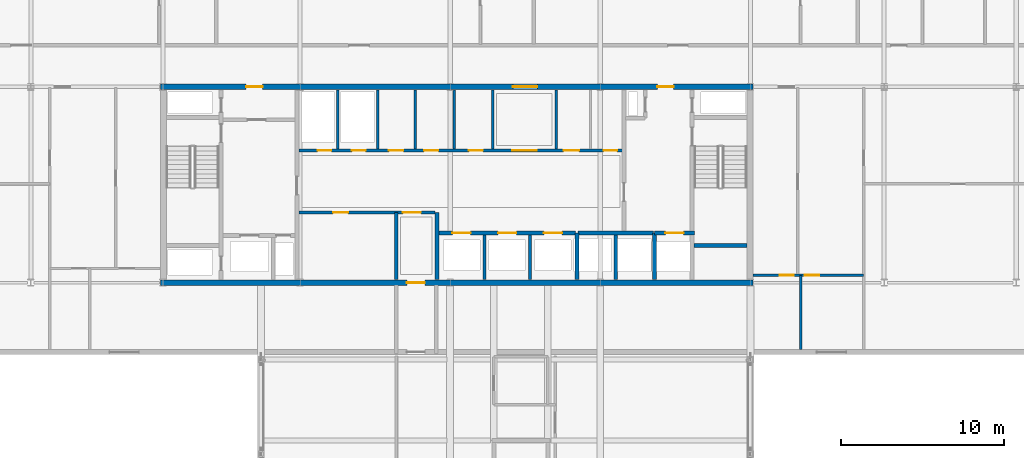
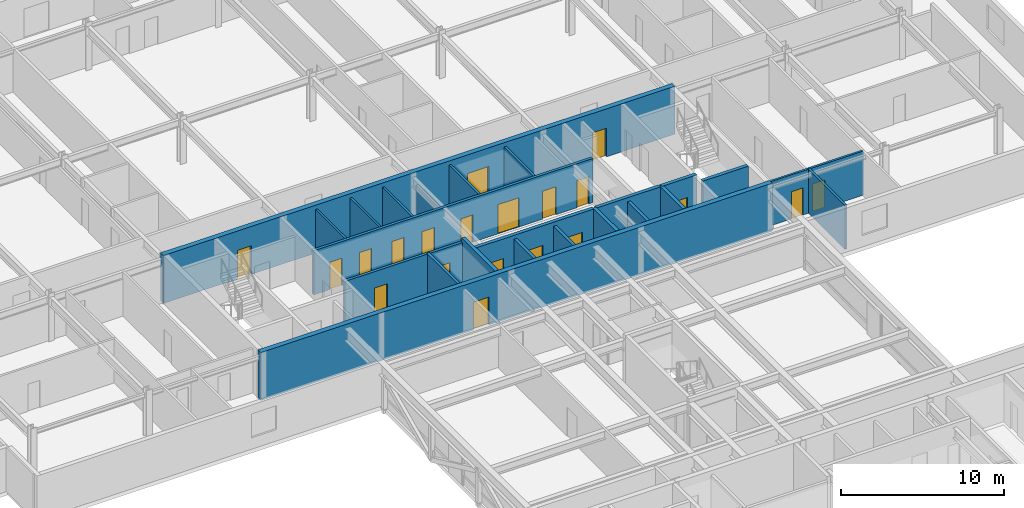
# One storey, part 24 of 35: 23 walls, 20 doors, 20 openings.
"""IFC4 building model written with IfcOpenShell, lengths in metres."""

from ifc_helpers import new_model, si_unit, direction, frame, frame_2d, origin, place, context, subcontext, project, spatial, rectangle, extrude, material, layer, layer_set, type_object, element, fill, save


model = new_model("IFC4")

# Units and contexts
model_context = context("Model", 3, precision=1e-05, world=origin(), true_north=direction((0.0, 1.0)))
body_context = subcontext(model_context, "Body", "Model", "MODEL_VIEW")
ifc_project = project(units=[si_unit("LENGTHUNIT", "METRE"), si_unit("AREAUNIT", "SQUARE_METRE"), si_unit("VOLUMEUNIT", "CUBIC_METRE"), si_unit("PLANEANGLEUNIT", "RADIAN"), si_unit("MASSUNIT", "GRAM", prefix="KILO")], contexts=[model_context])

# Site, building, storey
site_placement = place(None, origin())
site = spatial("IfcSite", under=ifc_project, at=site_placement, CompositionType="ELEMENT")
building_placement = place(site_placement, origin())
building = spatial("IfcBuilding", under=site, at=building_placement, Name="Korimba Cascade Residences", CompositionType="ELEMENT")
storey_placement = place(building_placement, frame((0.0, 0.0, 150.10009765625)))
storey = spatial("IfcBuildingStorey", under=building, at=storey_placement, Name="L43", CompositionType="ELEMENT", Elevation=150.10009765625)

# Wall, opening, door
ifc_material_1 = material(Name="Concrete C65/80", Category="concrete")
ifc_layer_1 = layer(ifc_material_1, 0.35009765625)
ifc_layer_set_1 = layer_set([ifc_layer_1], Name="Concrete C65/80")
wall_type_1 = type_object("IfcWallType", Name="WAL-CORE-350", PredefinedType="SHEAR", material=ifc_layer_set_1)
wall_1_placement = place(storey_placement, frame((75.949951171875, 55.199951171875, 0.0), z_axis=(0.0, 0.0, 1.0), x_axis=(1.0, 0.0, 0.0)))
wall_1 = element("IfcWall", 1, at=wall_1_placement, inside=storey, type_object=wall_type_1, Name="L43 Core Shear Wall CW-L43-T1-S", PredefinedType="SHEAR", context=body_context, shape_type="SweptSolid", body=[
    extrude(rectangle(XDim=36.300048828125, YDim=0.35009765625, at=frame_2d((18.14990234375, 0.0))), origin(), (0.0, 0.0, 1.0), 3.599853515625),
])
opening_1_placement = place(wall_1_placement, frame((15.10009765625, 0.0, 0.0)))
opening_1 = element("IfcOpeningElement", 2, at=opening_1_placement, cuts=wall_1, Name="Opening D-FD1", PredefinedType="OPENING", context=body_context, shape_type="SweptSolid", body=[
    extrude(rectangle(XDim=1.10009765625, YDim=2.10009765625, at=frame_2d((0.550048828125, 1.050048828125))), frame((0.0, 0.18505859375, 0.0), z_axis=(0.0, -1.0, 0.0), x_axis=(1.0, 0.0, 0.0)), (0.0, 0.0, 1.0), 0.3701171875),
])
ifc_material_2 = material(Name="Fire-Rated Steel Core Door", Category="steel")
door_type_1 = type_object("IfcDoorType", Name="DR-FD120-1100", OperationType="NOTDEFINED", PredefinedType="DOOR", material=ifc_material_2)
door_1_placement = place(opening_1_placement, origin())
door_1 = element("IfcDoor", 3, at=door_1_placement, inside=storey, type_object=door_type_1, Name="L43 Skybridge to T1 Core Fire Door", OperationType="SINGLE_SWING_RIGHT", OverallHeight=2.10009765625, OverallWidth=1.10009765625, PredefinedType="DOOR", context=body_context, shape_type="SweptSolid", body=[
    extrude(rectangle(XDim=1.10009765625, YDim=2.10009765625, at=frame_2d((0.550048828125, 1.050048828125))), frame((0.0, 0.02490234375, 0.0), z_axis=(0.0, -1.0, 0.0), x_axis=(1.0, 0.0, 0.0)), (0.0, 0.0, 1.0), 0.050048828125),
])
fill(opening_1, door_1)

# Wall, openings, doors
wall_2_placement = place(storey_placement, frame((75.949951171875, 67.199951171875, 0.0), z_axis=(0.0, 0.0, 1.0), x_axis=(1.0, 0.0, 0.0)))
wall_2 = element("IfcWall", 4, at=wall_2_placement, inside=storey, type_object=wall_type_1, Name="L43 Core Shear Wall CW-L43-T1-N", PredefinedType="SHEAR", context=body_context, shape_type="SweptSolid", body=[
    extrude(rectangle(XDim=36.300048828125, YDim=0.35009765625, at=frame_2d((18.14990234375, 0.0))), origin(), (0.0, 0.0, 1.0), 3.599853515625),
])
opening_2_placement = place(wall_2_placement, frame((5.25, 0.0, 0.0)))
opening_2 = element("IfcOpeningElement", 5, at=opening_2_placement, cuts=wall_2, Name="Opening D-FD5", PredefinedType="OPENING", context=body_context, shape_type="SweptSolid", body=[
    extrude(rectangle(XDim=1.0, YDim=2.14990234375, at=frame_2d((0.5, 1.074951171875))), frame((0.0, 0.18505859375, 0.0), z_axis=(0.0, -1.0, 0.0), x_axis=(1.0, 0.0, 0.0)), (0.0, 0.0, 1.0), 0.3701171875),
])
opening_3_placement = place(wall_2_placement, frame((21.60009765625, 0.0, 0.0)))
opening_3 = element("IfcOpeningElement", 6, at=opening_3_placement, cuts=wall_2, Name="Opening D-FD8", PredefinedType="OPENING", context=body_context, shape_type="SweptSolid", body=[
    extrude(rectangle(XDim=1.5, YDim=2.199951171875, at=frame_2d((0.75, 1.10009765625))), frame((0.0, 0.18505859375, 0.0), z_axis=(0.0, -1.0, 0.0), x_axis=(1.0, 0.0, 0.0)), (0.0, 0.0, 1.0), 0.3701171875),
])
opening_4_placement = place(wall_2_placement, frame((30.449951171875, 0.0, 0.0)))
opening_4 = element("IfcOpeningElement", 7, at=opening_4_placement, cuts=wall_2, Name="Opening D-FD5", PredefinedType="OPENING", context=body_context, shape_type="SweptSolid", body=[
    extrude(rectangle(XDim=1.0, YDim=2.14990234375, at=frame_2d((0.5, 1.074951171875))), frame((0.0, 0.18505859375, 0.0), z_axis=(0.0, -1.0, 0.0), x_axis=(1.0, 0.0, 0.0)), (0.0, 0.0, 1.0), 0.3701171875),
])
ifc_material_3 = material(Name="Fire-Rated Acoustic Timber Vestibule Door", Category="wood")
door_type_2 = type_object("IfcDoorType", Name="DR-FD90-1000", OperationType="NOTDEFINED", PredefinedType="DOOR", material=ifc_material_3)
door_2_placement = place(opening_2_placement, origin())
door_2 = element("IfcDoor", 8, at=door_2_placement, inside=storey, type_object=door_type_2, Name="L43 T1 West Core Vestibule Fire Door", OperationType="SINGLE_SWING_LEFT", OverallHeight=2.14990234375, OverallWidth=1.0, PredefinedType="DOOR", context=body_context, shape_type="SweptSolid", body=[
    extrude(rectangle(XDim=1.0, YDim=2.14990234375, at=frame_2d((0.5, 1.074951171875))), frame((0.0, 0.02490234375, 0.0), z_axis=(0.0, -1.0, 0.0), x_axis=(1.0, 0.0, 0.0)), (0.0, 0.0, 1.0), 0.050048828125),
])
fill(opening_2, door_2)
door_3_placement = place(opening_4_placement, origin())
door_3 = element("IfcDoor", 9, at=door_3_placement, inside=storey, type_object=door_type_2, Name="L43 T1 East Firefighting Vestibule Fire Door", OperationType="SINGLE_SWING_RIGHT", OverallHeight=2.14990234375, OverallWidth=1.0, PredefinedType="DOOR", context=body_context, shape_type="SweptSolid", body=[
    extrude(rectangle(XDim=1.0, YDim=2.14990234375, at=frame_2d((0.5, 1.074951171875))), frame((0.0, 0.02490234375, 0.0), z_axis=(0.0, -1.0, 0.0), x_axis=(1.0, 0.0, 0.0)), (0.0, 0.0, 1.0), 0.050048828125),
])
fill(opening_4, door_3)
ifc_material_4 = material(Name="Fire-Rated Glazed Lift Lobby Double Door", Category="glass")
door_type_3 = type_object("IfcDoorType", Name="DR-FD90-1500", OperationType="NOTDEFINED", PredefinedType="DOOR", material=ifc_material_4)
door_4_placement = place(opening_3_placement, origin())
door_4 = element("IfcDoor", 10, at=door_4_placement, inside=storey, type_object=door_type_3, Name="L43 T1 Lift Lobby Fire Door", OperationType="DOUBLE_DOOR_SINGLE_SWING", OverallHeight=2.199951171875, OverallWidth=1.5, PredefinedType="DOOR", context=body_context, shape_type="SweptSolid", body=[
    extrude(rectangle(XDim=1.5, YDim=2.199951171875, at=frame_2d((0.75, 1.10009765625))), frame((0.0, 0.02490234375, 0.0), z_axis=(0.0, -1.0, 0.0), x_axis=(1.0, 0.0, 0.0)), (0.0, 0.0, 1.0), 0.050048828125),
])
fill(opening_3, door_4)

# Walls
ifc_material_5 = material(Name="Insulated Acoustic Stud Partition", Category="gypsum")
ifc_layer_2 = layer(ifc_material_5, 0.14990234375)
ifc_layer_set_2 = layer_set([ifc_layer_2], Name="Insulated Acoustic Stud Partition")
wall_type_2 = type_object("IfcWallType", Name="WAL-PART-150", PredefinedType="PARTITIONING", material=ifc_layer_set_2)
for number, where, z_axis, x_axis, name in (
    (11, (86.800048828125, 63.39990234375, 0.0), (0.0, 0.0, 1.0), (0.0, 1.0, 0.0), "L43 Partition Wall CW-L43-T1-ERDIV"),
    (12, (89.25, 63.39990234375, 0.0), (0.0, 0.0, 1.0), (0.0, 1.0, 0.0), "L43 Partition Wall CW-L43-T1-PRDIV"),
    (13, (91.550048828125, 63.39990234375, 0.0), (0.0, 0.0, 1.0), (0.0, 1.0, 0.0), "L43 Partition Wall CW-L43-T1-CA1W1"),
):
    element("IfcWall", number, at=place(storey_placement, frame(where, z_axis=z_axis, x_axis=x_axis)), inside=storey, type_object=wall_type_2, Name=name, PredefinedType="PARTITIONING", context=body_context, shape_type="SweptSolid", body=[
        extrude(rectangle(XDim=3.60009765625, YDim=0.14990234375, at=frame_2d((1.800048828125, 0.0))), origin(), (0.0, 0.0, 1.0), 3.309814453125),
    ])
wall_3_placement = place(storey_placement, frame((93.949951171875, 63.39990234375, 0.0), z_axis=(0.0, 0.0, 1.0), x_axis=(0.0, 1.0, 0.0)))
element("IfcWall", 14, at=wall_3_placement, inside=storey, type_object=wall_type_2, Name="L43 Partition Wall CW-L43-T1-CA1W2", PredefinedType="PARTITIONING", context=body_context, shape_type="SweptSolid", body=[
    extrude(rectangle(XDim=3.60009765625, YDim=0.14990234375, at=frame_2d((1.800048828125, 0.0))), origin(), (0.0, 0.0, 1.0), 2.616943359375),
])
for number, where, z_axis, x_axis, name in (
    (15, (96.300048828125, 63.39990234375, 0.0), (0.0, 0.0, 1.0), (0.0, 1.0, 0.0), "L43 Partition Wall CW-L43-T1-THW"),
    (16, (100.199951171875, 63.39990234375, 0.0), (0.0, 0.0, 1.0), (0.0, 1.0, 0.0), "L43 Partition Wall CW-L43-T1-THE"),
):
    element("IfcWall", number, at=place(storey_placement, frame(where, z_axis=z_axis, x_axis=x_axis)), inside=storey, type_object=wall_type_2, Name=name, PredefinedType="PARTITIONING", context=body_context, shape_type="SweptSolid", body=[
        extrude(rectangle(XDim=3.60009765625, YDim=0.14990234375, at=frame_2d((1.800048828125, 0.0))), origin(), (0.0, 0.0, 1.0), 3.309814453125),
    ])
wall_4_placement = place(storey_placement, frame((115.199951171875, 51.10009765625, 0.0), z_axis=(0.0, 0.0, 1.0), x_axis=(0.0, 1.0, 0.0)))
element("IfcWall", 17, at=wall_4_placement, inside=storey, type_object=wall_type_2, Name="L43 Partition Wall WAL-L43-T1-FE-VS", PredefinedType="PARTITIONING", context=body_context, shape_type="SweptSolid", body=[
    extrude(rectangle(XDim=4.5498046875, YDim=0.14990234375, at=frame_2d((2.27490234375, 0.0))), origin(), (0.0, 0.0, 1.0), 3.309814453125),
])

# Wall, openings, doors
wall_5_placement = place(storey_placement, frame((112.27001953125, 55.64990234375, 0.0), z_axis=(0.0, 0.0, 1.0), x_axis=(1.0, 0.0, 0.0)))
wall_5 = element("IfcWall", 18, at=wall_5_placement, inside=storey, type_object=wall_type_2, Name="L43 Partition Wall WAL-L43-T1-FE-H", PredefinedType="PARTITIONING", context=body_context, shape_type="SweptSolid", body=[
    extrude(rectangle(XDim=6.760009765625, YDim=0.14990234375, at=frame_2d((3.3798828125, 0.0))), origin(), (0.0, 0.0, 1.0), 3.309814453125),
])
opening_5_placement = place(wall_5_placement, frame((1.6396484375, 0.0, 0.0)))
opening_5 = element("IfcOpeningElement", 19, at=opening_5_placement, cuts=wall_5, Name="Opening D-BT1", PredefinedType="OPENING", context=body_context, shape_type="SweptSolid", body=[
    extrude(rectangle(XDim=0.840087890625, YDim=2.0400390625, at=frame_2d((0.419921875, 1.02001953125))), frame((0.0, 0.0849609375, 0.0), z_axis=(0.0, -1.0, 0.0), x_axis=(1.0, 0.0, 0.0)), (0.0, 0.0, 1.0), 0.169921875),
])
opening_6_placement = place(wall_5_placement, frame((3.160400390625, 0.0, 0.0)))
opening_6 = element("IfcOpeningElement", 20, at=opening_6_placement, cuts=wall_5, Name="Opening D-IN2", PredefinedType="OPENING", context=body_context, shape_type="SweptSolid", body=[
    extrude(rectangle(XDim=0.8798828125, YDim=2.06005859375, at=frame_2d((0.43994140625, 1.030029296875))), frame((0.0, 0.0849609375, 0.0), z_axis=(0.0, -1.0, 0.0), x_axis=(1.0, 0.0, 0.0)), (0.0, 0.0, 1.0), 0.169921875),
])
ifc_material_6 = material(Name="Moisture-Resistant Bathroom Timber Door", Category="wood")
door_type_4 = type_object("IfcDoorType", Name="DR-INT-850", OperationType="NOTDEFINED", PredefinedType="DOOR", material=ifc_material_6)
door_5_placement = place(opening_5_placement, origin())
door_5 = element("IfcDoor", 21, at=door_5_placement, inside=storey, type_object=door_type_4, Name="L43-T1-FE Bathroom Door", OperationType="SINGLE_SWING_LEFT", OverallHeight=2.0400390625, OverallWidth=0.840087890625, PredefinedType="DOOR", context=body_context, shape_type="SweptSolid", body=[
    extrude(rectangle(XDim=0.840087890625, YDim=2.0400390625, at=frame_2d((0.419921875, 1.02001953125))), frame((0.0, 0.02490234375, 0.0), z_axis=(0.0, -1.0, 0.0), x_axis=(1.0, 0.0, 0.0)), (0.0, 0.0, 1.0), 0.050048828125),
])
fill(opening_5, door_5)
ifc_material_7 = material(Name="Acoustic Timber Bedroom Door", Category="wood")
door_type_5 = type_object("IfcDoorType", Name="DR-INT-880", OperationType="NOTDEFINED", PredefinedType="DOOR", material=ifc_material_7)
door_6_placement = place(opening_6_placement, origin())
door_6 = element("IfcDoor", 22, at=door_6_placement, inside=storey, type_object=door_type_5, Name="L43-T1-FE Bedroom Door", OperationType="SINGLE_SWING_RIGHT", OverallHeight=2.06005859375, OverallWidth=0.8798828125, PredefinedType="DOOR", context=body_context, shape_type="SweptSolid", body=[
    extrude(rectangle(XDim=0.8798828125, YDim=2.06005859375, at=frame_2d((0.43994140625, 1.030029296875))), frame((0.0, 0.02490234375, 0.0), z_axis=(0.0, -1.0, 0.0), x_axis=(1.0, 0.0, 0.0)), (0.0, 0.0, 1.0), 0.050048828125),
])
fill(opening_6, door_6)

# Wall
ifc_material_8 = material(Name="Concrete C40/50", Category="concrete")
ifc_layer_3 = layer(ifc_material_8, 0.199951171875)
ifc_layer_set_3 = layer_set([ifc_layer_3], Name="Concrete C40/50")
wall_type_3 = type_object("IfcWallType", Name="WAL-PART-200", PredefinedType="PARTITIONING", material=ifc_layer_set_3)
wall_6_placement = place(storey_placement, frame((90.39990234375, 55.39990234375, 0.0), z_axis=(0.0, 0.0, 1.0), x_axis=(0.0, 1.0, 0.0)))
element("IfcWall", 23, at=wall_6_placement, inside=storey, type_object=wall_type_3, Name="L43 Partition Wall CW-L43-T1-BRGPD", PredefinedType="PARTITIONING", context=body_context, shape_type="SweptSolid", body=[
    extrude(rectangle(XDim=4.10009765625, YDim=0.199951171875, at=frame_2d((2.050048828125, 0.0))), origin(), (0.0, 0.0, 1.0), 3.309814453125),
])

# Wall, openings, doors
wall_7_placement = place(storey_placement, frame((84.419921875, 59.5, 0.0), z_axis=(0.0, 0.0, 1.0), x_axis=(1.0, 0.0, 0.0)))
wall_7 = element("IfcWall", 24, at=wall_7_placement, inside=storey, type_object=wall_type_3, Name="L43 Partition Wall CW-L43-T1-B1RN", PredefinedType="PARTITIONING", context=body_context, shape_type="SweptSolid", body=[
    extrude(rectangle(XDim=8.360107421875, YDim=0.199951171875, at=frame_2d((4.18017578125, 0.0))), origin(), (0.0, 0.0, 1.0), 3.309814453125),
])
opening_7_placement = place(wall_7_placement, frame((2.10009765625, 0.0, 0.0)))
opening_7 = element("IfcOpeningElement", 25, at=opening_7_placement, cuts=wall_7, Name="Opening D-ST1", PredefinedType="OPENING", context=body_context, shape_type="SweptSolid", body=[
    extrude(rectangle(XDim=0.919921875, YDim=2.080078125, at=frame_2d((0.4599609375, 1.0400390625))), frame((0.0, 0.10986328125, 0.0), z_axis=(0.0, -1.0, 0.0), x_axis=(1.0, 0.0, 0.0)), (0.0, 0.0, 1.0), 0.219970703125),
])
opening_8_placement = place(wall_7_placement, frame((6.3798828125, 0.0, 0.0)))
opening_8 = element("IfcOpeningElement", 26, at=opening_8_placement, cuts=wall_7, Name="Opening D-FD1", PredefinedType="OPENING", context=body_context, shape_type="SweptSolid", body=[
    extrude(rectangle(XDim=1.10009765625, YDim=2.10009765625, at=frame_2d((0.550048828125, 1.050048828125))), frame((0.0, 0.10986328125, 0.0), z_axis=(0.0, -1.0, 0.0), x_axis=(1.0, 0.0, 0.0)), (0.0, 0.0, 1.0), 0.219970703125),
])
door_7_placement = place(opening_8_placement, origin())
door_7 = element("IfcDoor", 27, at=door_7_placement, inside=storey, type_object=door_type_1, Name="L43 Skybridge Vestibule to Lift Lobby Door", OperationType="SINGLE_SWING_RIGHT", OverallHeight=2.10009765625, OverallWidth=1.10009765625, PredefinedType="DOOR", context=body_context, shape_type="SweptSolid", body=[
    extrude(rectangle(XDim=1.10009765625, YDim=2.10009765625, at=frame_2d((0.550048828125, 1.050048828125))), frame((0.0, 0.02490234375, 0.0), z_axis=(0.0, -1.0, 0.0), x_axis=(1.0, 0.0, 0.0)), (0.0, 0.0, 1.0), 0.050048828125),
])
fill(opening_8, door_7)
ifc_material_9 = material(Name="Fire-Rated Core Store Door", Category="wood")
door_type_6 = type_object("IfcDoorType", Name="DR-FD60-920", OperationType="NOTDEFINED", PredefinedType="DOOR", material=ifc_material_9)
door_8_placement = place(opening_7_placement, origin())
door_8 = element("IfcDoor", 28, at=door_8_placement, inside=storey, type_object=door_type_6, Name="L43 Resident Storage Door", OperationType="SINGLE_SWING_LEFT", OverallHeight=2.080078125, OverallWidth=0.919921875, PredefinedType="DOOR", context=body_context, shape_type="SweptSolid", body=[
    extrude(rectangle(XDim=0.919921875, YDim=2.080078125, at=frame_2d((0.4599609375, 1.0400390625))), frame((0.0, 0.02490234375, 0.0), z_axis=(0.0, -1.0, 0.0), x_axis=(1.0, 0.0, 0.0)), (0.0, 0.0, 1.0), 0.050048828125),
])
fill(opening_7, door_8)

# Walls
for number, where, z_axis, x_axis, name in (
    (29, (95.800048828125, 55.39990234375, 0.0), (0.0, 0.0, 1.0), (0.0, 1.0, 0.0), "L43 Partition Wall CW-L43-T1-B2D1"),
    (30, (98.60009765625, 55.39990234375, 0.0), (0.0, 0.0, 1.0), (0.0, 1.0, 0.0), "L43 Partition Wall CW-L43-T1-B2D2"),
    (31, (103.85009765625, 55.39990234375, 0.0), (0.0, 0.0, 1.0), (0.0, 1.0, 0.0), "L43 Partition Wall CW-L43-T1-B3D1"),
):
    element("IfcWall", number, at=place(storey_placement, frame(where, z_axis=z_axis, x_axis=x_axis)), inside=storey, type_object=wall_type_3, Name=name, PredefinedType="PARTITIONING", context=body_context, shape_type="SweptSolid", body=[
        extrude(rectangle(XDim=2.72021484375, YDim=0.199951171875, at=frame_2d((1.360107421875, 0.0))), origin(), (0.0, 0.0, 1.0), 3.309814453125),
    ])

# Wall, openings, doors
wall_8_placement = place(storey_placement, frame((84.419921875, 63.300048828125, 0.0), z_axis=(0.0, 0.0, 1.0), x_axis=(1.0, 0.0, 0.0)))
wall_8 = element("IfcWall", 32, at=wall_8_placement, inside=storey, type_object=wall_type_3, Name="L43 Partition Wall CW-L43-T1-SRVROW", PredefinedType="PARTITIONING", context=body_context, shape_type="SweptSolid", body=[
    extrude(rectangle(XDim=19.830078125, YDim=0.199951171875, at=frame_2d((9.9150390625, 0.0))), origin(), (0.0, 0.0, 1.0), 3.309814453125),
])
opening_9_placement = place(wall_8_placement, frame((1.14990234375, 0.0, 0.0)))
opening_9 = element("IfcOpeningElement", 33, at=opening_9_placement, cuts=wall_8, Name="Opening D-RS1", PredefinedType="OPENING", context=body_context, shape_type="SweptSolid", body=[
    extrude(rectangle(XDim=0.85009765625, YDim=2.050048828125, at=frame_2d((0.425048828125, 1.02490234375))), frame((0.0, 0.10986328125, 0.0), z_axis=(0.0, -1.0, 0.0), x_axis=(1.0, 0.0, 0.0)), (0.0, 0.0, 1.0), 0.219970703125),
])
opening_10_placement = place(wall_8_placement, frame((3.25, 0.0, 0.0)))
opening_10 = element("IfcOpeningElement", 34, at=opening_10_placement, cuts=wall_8, Name="Opening D-RS1", PredefinedType="OPENING", context=body_context, shape_type="SweptSolid", body=[
    extrude(rectangle(XDim=0.85009765625, YDim=2.050048828125, at=frame_2d((0.425048828125, 1.02490234375))), frame((0.0, 0.10986328125, 0.0), z_axis=(0.0, -1.0, 0.0), x_axis=(1.0, 0.0, 0.0)), (0.0, 0.0, 1.0), 0.219970703125),
])
opening_11_placement = place(wall_8_placement, frame((13.080078125, 0.0, 0.0)))
opening_11 = element("IfcOpeningElement", 35, at=opening_11_placement, cuts=wall_8, Name="Opening D-FD8", PredefinedType="OPENING", context=body_context, shape_type="SweptSolid", body=[
    extrude(rectangle(XDim=1.5, YDim=2.199951171875, at=frame_2d((0.75, 1.10009765625))), frame((0.0, 0.10986328125, 0.0), z_axis=(0.0, -1.0, 0.0), x_axis=(1.0, 0.0, 0.0)), (0.0, 0.0, 1.0), 0.219970703125),
])
opening_12_placement = place(wall_8_placement, frame((5.530029296875, 0.0, 0.0)))
opening_12 = element("IfcOpeningElement", 36, at=opening_12_placement, cuts=wall_8, Name="Opening D-IN2", PredefinedType="OPENING", context=body_context, shape_type="SweptSolid", body=[
    extrude(rectangle(XDim=0.8798828125, YDim=2.06005859375, at=frame_2d((0.43994140625, 1.030029296875))), frame((0.0, 0.10986328125, 0.0), z_axis=(0.0, -1.0, 0.0), x_axis=(1.0, 0.0, 0.0)), (0.0, 0.0, 1.0), 0.219970703125),
])
opening_13_placement = place(wall_8_placement, frame((7.679931640625, 0.0, 0.0)))
opening_13 = element("IfcOpeningElement", 37, at=opening_13_placement, cuts=wall_8, Name="Opening D-IN2", PredefinedType="OPENING", context=body_context, shape_type="SweptSolid", body=[
    extrude(rectangle(XDim=0.8798828125, YDim=2.06005859375, at=frame_2d((0.43994140625, 1.030029296875))), frame((0.0, 0.10986328125, 0.0), z_axis=(0.0, -1.0, 0.0), x_axis=(1.0, 0.0, 0.0)), (0.0, 0.0, 1.0), 0.219970703125),
])
opening_14_placement = place(wall_8_placement, frame((10.429931640625, 0.0, 0.0)))
opening_14 = element("IfcOpeningElement", 38, at=opening_14_placement, cuts=wall_8, Name="Opening D-RS1", PredefinedType="OPENING", context=body_context, shape_type="SweptSolid", body=[
    extrude(rectangle(XDim=0.85009765625, YDim=2.050048828125, at=frame_2d((0.425048828125, 1.02490234375))), frame((0.0, 0.10986328125, 0.0), z_axis=(0.0, -1.0, 0.0), x_axis=(1.0, 0.0, 0.0)), (0.0, 0.0, 1.0), 0.219970703125),
])
opening_15_placement = place(wall_8_placement, frame((16.22998046875, 0.0, 0.0)))
opening_15 = element("IfcOpeningElement", 39, at=opening_15_placement, cuts=wall_8, Name="Opening D-AC1", PredefinedType="OPENING", context=body_context, shape_type="SweptSolid", body=[
    extrude(rectangle(XDim=0.9599609375, YDim=2.10009765625, at=frame_2d((0.47998046875, 1.050048828125))), frame((0.0, 0.10986328125, 0.0), z_axis=(0.0, -1.0, 0.0), x_axis=(1.0, 0.0, 0.0)), (0.0, 0.0, 1.0), 0.219970703125),
])
opening_16_placement = place(wall_8_placement, frame((18.679931640625, 0.0, 0.0)))
opening_16 = element("IfcOpeningElement", 40, at=opening_16_placement, cuts=wall_8, Name="Opening D-BT1", PredefinedType="OPENING", context=body_context, shape_type="SweptSolid", body=[
    extrude(rectangle(XDim=0.840087890625, YDim=2.0400390625, at=frame_2d((0.419921875, 1.02001953125))), frame((0.0, 0.10986328125, 0.0), z_axis=(0.0, -1.0, 0.0), x_axis=(1.0, 0.0, 0.0)), (0.0, 0.0, 1.0), 0.219970703125),
])
ifc_material_10 = material(Name="Accessible Acoustic Timber WC Door", Category="wood")
door_type_7 = type_object("IfcDoorType", Name="DR-ACC-950", OperationType="NOTDEFINED", PredefinedType="DOOR", material=ifc_material_10)
door_9_placement = place(opening_15_placement, origin())
door_9 = element("IfcDoor", 41, at=door_9_placement, inside=storey, type_object=door_type_7, Name="L43 Accessible Staff WC Door", OperationType="SINGLE_SWING_RIGHT", OverallHeight=2.10009765625, OverallWidth=0.9599609375, PredefinedType="DOOR", context=body_context, shape_type="SweptSolid", body=[
    extrude(rectangle(XDim=0.9599609375, YDim=2.10009765625, at=frame_2d((0.47998046875, 1.050048828125))), frame((0.0, 0.02490234375, 0.0), z_axis=(0.0, -1.0, 0.0), x_axis=(1.0, 0.0, 0.0)), (0.0, 0.0, 1.0), 0.050048828125),
])
fill(opening_15, door_9)
ifc_material_11 = material(Name="Fire-Rated Steel Riser Access Door", Category="steel")
door_type_8 = type_object("IfcDoorType", Name="DR-FD60-850", OperationType="NOTDEFINED", PredefinedType="DOOR", material=ifc_material_11)
door_10_placement = place(opening_9_placement, origin())
door_10 = element("IfcDoor", 42, at=door_10_placement, inside=storey, type_object=door_type_8, Name="L43 Electrical Riser Door", OperationType="SINGLE_SWING_LEFT", OverallHeight=2.050048828125, OverallWidth=0.85009765625, PredefinedType="DOOR", context=body_context, shape_type="SweptSolid", body=[
    extrude(rectangle(XDim=0.85009765625, YDim=2.050048828125, at=frame_2d((0.425048828125, 1.02490234375))), frame((0.0, 0.02490234375, 0.0), z_axis=(0.0, -1.0, 0.0), x_axis=(1.0, 0.0, 0.0)), (0.0, 0.0, 1.0), 0.050048828125),
])
fill(opening_9, door_10)
door_11_placement = place(opening_10_placement, origin())
door_11 = element("IfcDoor", 43, at=door_11_placement, inside=storey, type_object=door_type_8, Name="L43 Plumbing Riser Door", OperationType="SINGLE_SWING_RIGHT", OverallHeight=2.050048828125, OverallWidth=0.85009765625, PredefinedType="DOOR", context=body_context, shape_type="SweptSolid", body=[
    extrude(rectangle(XDim=0.85009765625, YDim=2.050048828125, at=frame_2d((0.425048828125, 1.02490234375))), frame((0.0, 0.02490234375, 0.0), z_axis=(0.0, -1.0, 0.0), x_axis=(1.0, 0.0, 0.0)), (0.0, 0.0, 1.0), 0.050048828125),
])
fill(opening_10, door_11)
door_12_placement = place(opening_14_placement, origin())
door_12 = element("IfcDoor", 44, at=door_12_placement, inside=storey, type_object=door_type_8, Name="L43 IT Room Door", OperationType="SINGLE_SWING_LEFT", OverallHeight=2.050048828125, OverallWidth=0.85009765625, PredefinedType="DOOR", context=body_context, shape_type="SweptSolid", body=[
    extrude(rectangle(XDim=0.85009765625, YDim=2.050048828125, at=frame_2d((0.425048828125, 1.02490234375))), frame((0.0, 0.02490234375, 0.0), z_axis=(0.0, -1.0, 0.0), x_axis=(1.0, 0.0, 0.0)), (0.0, 0.0, 1.0), 0.050048828125),
])
fill(opening_14, door_12)
door_13_placement = place(opening_11_placement, origin())
door_13 = element("IfcDoor", 45, at=door_13_placement, inside=storey, type_object=door_type_3, Name="L43 Lift Lobby Foyer Archway Door", OperationType="DOUBLE_DOOR_SINGLE_SWING", OverallHeight=2.199951171875, OverallWidth=1.5, PredefinedType="DOOR", context=body_context, shape_type="SweptSolid", body=[
    extrude(rectangle(XDim=1.5, YDim=2.199951171875, at=frame_2d((0.75, 1.10009765625))), frame((0.0, 0.02490234375, 0.0), z_axis=(0.0, -1.0, 0.0), x_axis=(1.0, 0.0, 0.0)), (0.0, 0.0, 1.0), 0.050048828125),
])
fill(opening_11, door_13)
door_14_placement = place(opening_16_placement, origin())
door_14 = element("IfcDoor", 46, at=door_14_placement, inside=storey, type_object=door_type_4, Name="L43 Vending Room Door", OperationType="SINGLE_SWING_LEFT", OverallHeight=2.0400390625, OverallWidth=0.840087890625, PredefinedType="DOOR", context=body_context, shape_type="SweptSolid", body=[
    extrude(rectangle(XDim=0.840087890625, YDim=2.0400390625, at=frame_2d((0.419921875, 1.02001953125))), frame((0.0, 0.02490234375, 0.0), z_axis=(0.0, -1.0, 0.0), x_axis=(1.0, 0.0, 0.0)), (0.0, 0.0, 1.0), 0.050048828125),
])
fill(opening_16, door_14)
door_15_placement = place(opening_12_placement, origin())
door_15 = element("IfcDoor", 47, at=door_15_placement, inside=storey, type_object=door_type_5, Name="L43 Cleaners Door", OperationType="SINGLE_SWING_LEFT", OverallHeight=2.06005859375, OverallWidth=0.8798828125, PredefinedType="DOOR", context=body_context, shape_type="SweptSolid", body=[
    extrude(rectangle(XDim=0.8798828125, YDim=2.06005859375, at=frame_2d((0.43994140625, 1.030029296875))), frame((0.0, 0.02490234375, 0.0), z_axis=(0.0, -1.0, 0.0), x_axis=(1.0, 0.0, 0.0)), (0.0, 0.0, 1.0), 0.050048828125),
])
fill(opening_12, door_15)
door_16_placement = place(opening_13_placement, origin())
door_16 = element("IfcDoor", 48, at=door_16_placement, inside=storey, type_object=door_type_5, Name="L43 Pantry Door", OperationType="SINGLE_SWING_RIGHT", OverallHeight=2.06005859375, OverallWidth=0.8798828125, PredefinedType="DOOR", context=body_context, shape_type="SweptSolid", body=[
    extrude(rectangle(XDim=0.8798828125, YDim=2.06005859375, at=frame_2d((0.43994140625, 1.030029296875))), frame((0.0, 0.02490234375, 0.0), z_axis=(0.0, -1.0, 0.0), x_axis=(1.0, 0.0, 0.0)), (0.0, 0.0, 1.0), 0.050048828125),
])
fill(opening_13, door_16)

# Wall
ifc_material_12 = material(Name="Concrete C50/60", Category="concrete")
ifc_layer_4 = layer(ifc_material_12, 0.25)
ifc_layer_set_4 = layer_set([ifc_layer_4], Name="Concrete C50/60")
wall_type_4 = type_object("IfcWallType", Name="WAL-SHAFT-250", PredefinedType="SHEAR", material=ifc_layer_set_4)
wall_9_placement = place(storey_placement, frame((92.89990234375, 55.39990234375, 0.0), z_axis=(0.0, 0.0, 1.0), x_axis=(0.0, 1.0, 0.0)))
element("IfcWall", 49, at=wall_9_placement, inside=storey, type_object=wall_type_4, Name="L43 Core Shear Wall CW-L43-T1-B12DIV", PredefinedType="SHEAR", context=body_context, shape_type="SweptSolid", body=[
    extrude(rectangle(XDim=4.10009765625, YDim=0.25, at=frame_2d((2.050048828125, 0.0))), origin(), (0.0, 0.0, 1.0), 3.599853515625),
])

# Wall, openings, doors
wall_10_placement = place(storey_placement, frame((93.02001953125, 58.25, 0.0), z_axis=(0.0, 0.0, 1.0), x_axis=(1.0, 0.0, 0.0)))
wall_10 = element("IfcWall", 50, at=wall_10_placement, inside=storey, type_object=wall_type_4, Name="L43 Core Shear Wall CW-L43-T1-B2N", PredefinedType="SHEAR", context=body_context, shape_type="SweptSolid", body=[
    extrude(rectangle(XDim=8.35986328125, YDim=0.25, at=frame_2d((4.179931640625, 0.0))), origin(), (0.0, 0.0, 1.0), 3.599853515625),
])
opening_17_placement = place(wall_10_placement, frame((0.820068359375, 0.0, 0.0)))
opening_17 = element("IfcOpeningElement", 51, at=opening_17_placement, cuts=wall_10, Name="Opening LD-01", PredefinedType="OPENING", context=body_context, shape_type="SweptSolid", body=[
    extrude(rectangle(XDim=1.1201171875, YDim=2.1201171875, at=frame_2d((0.56005859375, 1.06005859375))), frame((0.0, 0.135009765625, 0.0), z_axis=(0.0, -1.0, 0.0), x_axis=(1.0, 0.0, 0.0)), (0.0, 0.0, 1.0), 0.27001953125),
])
opening_18_placement = place(wall_10_placement, frame((3.6201171875, 0.0, 0.0)))
opening_18 = element("IfcOpeningElement", 52, at=opening_18_placement, cuts=wall_10, Name="Opening LD-01", PredefinedType="OPENING", context=body_context, shape_type="SweptSolid", body=[
    extrude(rectangle(XDim=1.1201171875, YDim=2.1201171875, at=frame_2d((0.56005859375, 1.06005859375))), frame((0.0, 0.135009765625, 0.0), z_axis=(0.0, -1.0, 0.0), x_axis=(1.0, 0.0, 0.0)), (0.0, 0.0, 1.0), 0.27001953125),
])
opening_19_placement = place(wall_10_placement, frame((6.419921875, 0.0, 0.0)))
opening_19 = element("IfcOpeningElement", 53, at=opening_19_placement, cuts=wall_10, Name="Opening LD-01", PredefinedType="OPENING", context=body_context, shape_type="SweptSolid", body=[
    extrude(rectangle(XDim=1.1201171875, YDim=2.1201171875, at=frame_2d((0.56005859375, 1.06005859375))), frame((0.0, 0.135009765625, 0.0), z_axis=(0.0, -1.0, 0.0), x_axis=(1.0, 0.0, 0.0)), (0.0, 0.0, 1.0), 0.27001953125),
])
ifc_material_13 = material(Name="Stainless Steel Lift Landing Sliding Door", Category="steel")
door_type_9 = type_object("IfcDoorType", Name="DR-LIFT-1100", OperationType="NOTDEFINED", PredefinedType="DOOR", material=ifc_material_13)
door_17_placement = place(opening_17_placement, origin())
door_17 = element("IfcDoor", 54, at=door_17_placement, inside=storey, type_object=door_type_9, Name="L43 Lift Landing Door PL-W4", OperationType="SLIDING_TO_RIGHT", OverallHeight=2.1201171875, OverallWidth=1.1201171875, PredefinedType="DOOR", context=body_context, shape_type="SweptSolid", body=[
    extrude(rectangle(XDim=1.1201171875, YDim=2.1201171875, at=frame_2d((0.56005859375, 1.06005859375))), frame((0.0, 0.02490234375, 0.0), z_axis=(0.0, -1.0, 0.0), x_axis=(1.0, 0.0, 0.0)), (0.0, 0.0, 1.0), 0.050048828125),
])
fill(opening_17, door_17)
door_18_placement = place(opening_18_placement, origin())
door_18 = element("IfcDoor", 55, at=door_18_placement, inside=storey, type_object=door_type_9, Name="L43 Lift Landing Door PL-W5", OperationType="SLIDING_TO_RIGHT", OverallHeight=2.1201171875, OverallWidth=1.1201171875, PredefinedType="DOOR", context=body_context, shape_type="SweptSolid", body=[
    extrude(rectangle(XDim=1.1201171875, YDim=2.1201171875, at=frame_2d((0.56005859375, 1.06005859375))), frame((0.0, 0.02490234375, 0.0), z_axis=(0.0, -1.0, 0.0), x_axis=(1.0, 0.0, 0.0)), (0.0, 0.0, 1.0), 0.050048828125),
])
fill(opening_18, door_18)
door_19_placement = place(opening_19_placement, origin())
door_19 = element("IfcDoor", 56, at=door_19_placement, inside=storey, type_object=door_type_9, Name="L43 Lift Landing Door PL-W6", OperationType="SLIDING_TO_RIGHT", OverallHeight=2.1201171875, OverallWidth=1.1201171875, PredefinedType="DOOR", context=body_context, shape_type="SweptSolid", body=[
    extrude(rectangle(XDim=1.1201171875, YDim=2.1201171875, at=frame_2d((0.56005859375, 1.06005859375))), frame((0.0, 0.02490234375, 0.0), z_axis=(0.0, -1.0, 0.0), x_axis=(1.0, 0.0, 0.0)), (0.0, 0.0, 1.0), 0.050048828125),
])
fill(opening_19, door_19)

# Walls
wall_11_placement = place(storey_placement, frame((101.47998046875, 55.39990234375, 0.0), z_axis=(0.0, 0.0, 1.0), x_axis=(0.0, 1.0, 0.0)))
element("IfcWall", 57, at=wall_11_placement, inside=storey, type_object=wall_type_4, Name="L43 Core Shear Wall CW-L43-T1-B23DIV", PredefinedType="SHEAR", context=body_context, shape_type="SweptSolid", body=[
    extrude(rectangle(XDim=2.85009765625, YDim=0.25, at=frame_2d((1.425048828125, 0.0))), origin(), (0.0, 0.0, 1.0), 3.599853515625),
])
wall_12_placement = place(storey_placement, frame((101.550048828125, 58.25, 0.0), z_axis=(0.0, 0.0, 1.0), x_axis=(1.0, 0.0, 0.0)))
element("IfcWall", 58, at=wall_12_placement, inside=storey, type_object=wall_type_4, Name="L43 Core Shear Wall CW-L43-T1-B3N", PredefinedType="SHEAR", context=body_context, shape_type="SweptSolid", body=[
    extrude(rectangle(XDim=4.599853515625, YDim=0.25, at=frame_2d((2.2998046875, 0.0))), origin(), (0.0, 0.0, 1.0), 3.599853515625),
])
wall_13_placement = place(storey_placement, frame((106.219970703125, 55.39990234375, 0.0), z_axis=(0.0, 0.0, 1.0), x_axis=(0.0, 1.0, 0.0)))
element("IfcWall", 59, at=wall_13_placement, inside=storey, type_object=wall_type_4, Name="L43 Core Shear Wall CW-L43-T1-FF2W", PredefinedType="SHEAR", context=body_context, shape_type="SweptSolid", body=[
    extrude(rectangle(XDim=2.85009765625, YDim=0.25, at=frame_2d((1.425048828125, 0.0))), origin(), (0.0, 0.0, 1.0), 3.599853515625),
])

# Wall, opening, door
wall_14_placement = place(storey_placement, frame((106.219970703125, 58.25, 0.0), z_axis=(0.0, 0.0, 1.0), x_axis=(1.0, 0.0, 0.0)))
wall_14 = element("IfcWall", 60, at=wall_14_placement, inside=storey, type_object=wall_type_4, Name="L43 Core Shear Wall CW-L43-T1-FF2N", PredefinedType="SHEAR", context=body_context, shape_type="SweptSolid", body=[
    extrude(rectangle(XDim=2.4599609375, YDim=0.25, at=frame_2d((1.22998046875, 0.0))), origin(), (0.0, 0.0, 1.0), 3.599853515625),
])
opening_20_placement = place(wall_14_placement, frame((0.669921875, 0.0, 0.0)))
opening_20 = element("IfcOpeningElement", 61, at=opening_20_placement, cuts=wall_14, Name="Opening LD-01", PredefinedType="OPENING", context=body_context, shape_type="SweptSolid", body=[
    extrude(rectangle(XDim=1.1201171875, YDim=2.1201171875, at=frame_2d((0.56005859375, 1.06005859375))), frame((0.0, 0.135009765625, 0.0), z_axis=(0.0, -1.0, 0.0), x_axis=(1.0, 0.0, 0.0)), (0.0, 0.0, 1.0), 0.27001953125),
])
door_20_placement = place(opening_20_placement, origin())
door_20 = element("IfcDoor", 62, at=door_20_placement, inside=storey, type_object=door_type_9, Name="L43 Firefighting Lift Landing Door FFL-W2", OperationType="SLIDING_TO_RIGHT", OverallHeight=2.1201171875, OverallWidth=1.1201171875, PredefinedType="DOOR", context=body_context, shape_type="SweptSolid", body=[
    extrude(rectangle(XDim=1.1201171875, YDim=2.1201171875, at=frame_2d((0.56005859375, 1.06005859375))), frame((0.0, 0.02490234375, 0.0), z_axis=(0.0, -1.0, 0.0), x_axis=(1.0, 0.0, 0.0)), (0.0, 0.0, 1.0), 0.050048828125),
])
fill(opening_20, door_20)

# Wall
wall_15_placement = place(storey_placement, frame((108.659912109375, 57.47509765625, 0.0), z_axis=(0.0, 0.0, 1.0), x_axis=(1.0, 0.0, 0.0)))
element("IfcWall", 63, at=wall_15_placement, inside=storey, type_object=wall_type_4, Name="L43 Core Shear Wall CW-L43-T1-STW2S", PredefinedType="SHEAR", context=body_context, shape_type="SweptSolid", body=[
    extrude(rectangle(XDim=3.239990234375, YDim=0.25, at=frame_2d((1.6201171875, 0.0))), origin(), (0.0, 0.0, 1.0), 3.599853515625),
])

save(model, "model.ifc")
